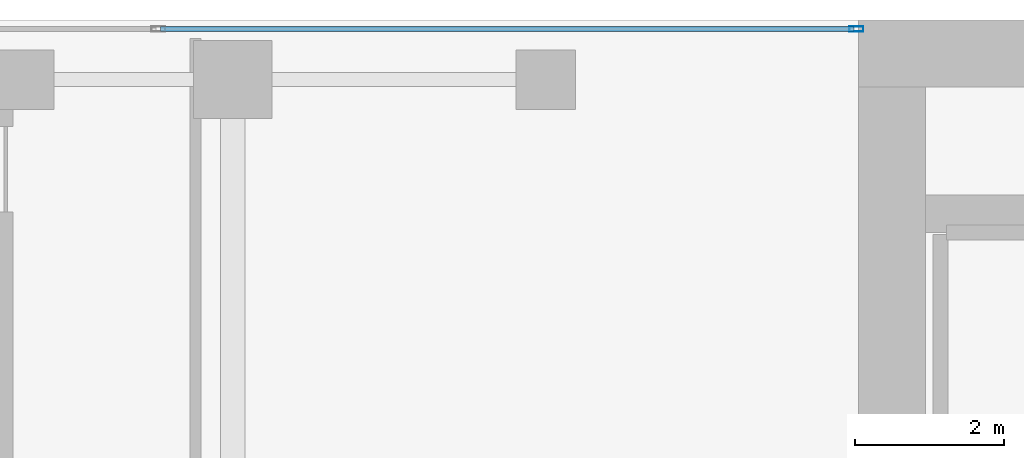
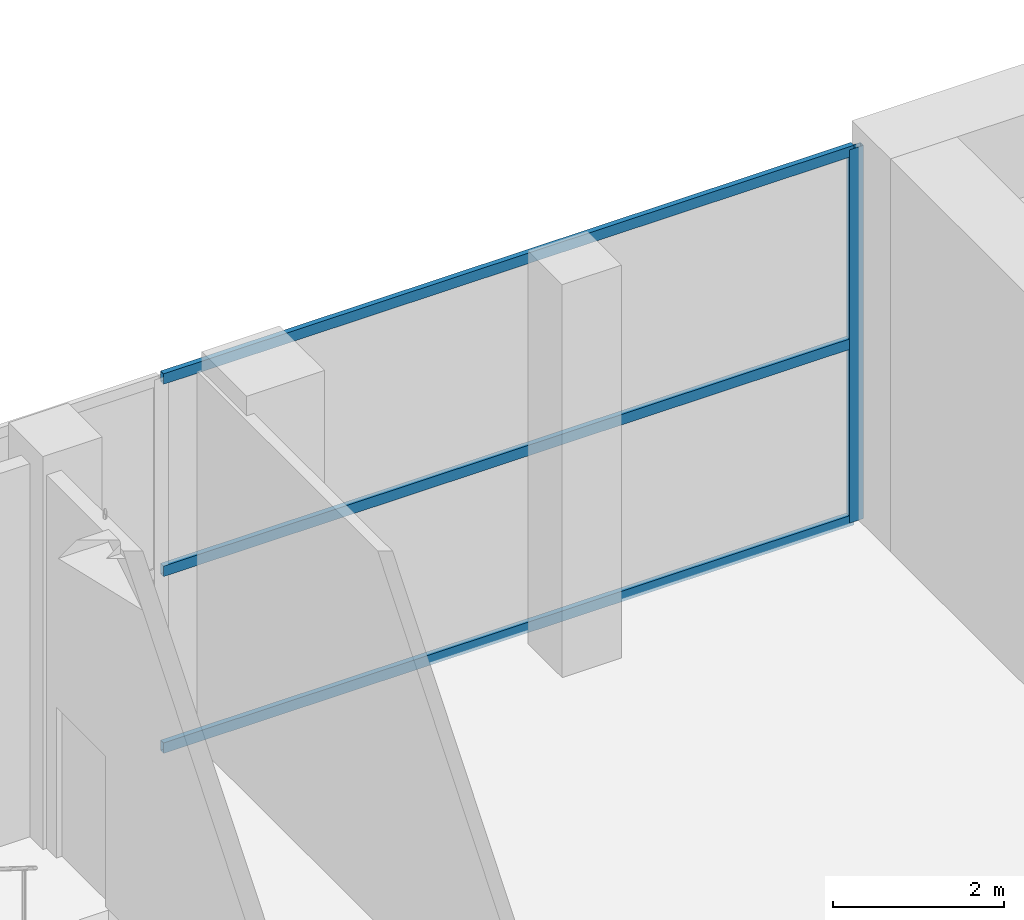
# One storey, part 21 of 40: 4 members, 1 element without a shape of its own.
"""IFC4 building model written with IfcOpenShell, lengths in metres."""

from ifc_helpers import new_model, si_unit, direction, frame, origin, origin_2d, place, context, subcontext, project, spatial, hollow_rectangle, extrude, material, layer, layer_set, material_profile, profile_set, type_object, element, aggregate, save


model = new_model("IFC4")

# Units and contexts
model_context = context("Model", 3, precision=1e-05, world=origin(), true_north=direction((0.0, 1.0)))
body_context = subcontext(model_context, "Body", "Model", "MODEL_VIEW")
ifc_project = project(units=[si_unit("LENGTHUNIT", "METRE"), si_unit("AREAUNIT", "SQUARE_METRE"), si_unit("VOLUMEUNIT", "CUBIC_METRE"), si_unit("PLANEANGLEUNIT", "RADIAN"), si_unit("MASSUNIT", "GRAM", prefix="KILO")], contexts=[model_context])

# Site, building, storey
site_placement = place(None, origin())
site = spatial("IfcSite", under=ifc_project, at=site_placement, CompositionType="ELEMENT")
building_placement = place(site_placement, origin())
building = spatial("IfcBuilding", under=site, at=building_placement, Name="Maruvema Waterfront Hotel and Observation Tower", CompositionType="ELEMENT")
storey_placement = place(building_placement, frame((0.0, 0.0, 10.85009765625)))
storey = spatial("IfcBuildingStorey", under=building, at=storey_placement, Name="L02", CompositionType="ELEMENT", Elevation=10.85009765625)

# Curtain wall, members
ifc_material_1 = material(Name="Anodised bronze aluminium and solar-control low-E IGU", Category="aluminium")
ifc_layer = layer(ifc_material_1, 0.159912109375, Name="Podium Waterfront Storefront Curtain Wall System CW-01")
ifc_layer_set = layer_set([ifc_layer], Name="Anodised bronze aluminium and solar-control low-E IGU")
curtain_wall_type = type_object("IfcCurtainWallType", Name="Podium Waterfront Storefront Curtain Wall System CW-01", PredefinedType="USERDEFINED", material=ifc_layer_set)
curtain_wall_placement = place(storey_placement, origin())
curtain_wall = element("IfcCurtainWall", 1, at=curtain_wall_placement, inside=storey, type_object=curtain_wall_type, Name="L02 Curtain Wall CW-L02-NW", ObjectType="UNITISED CURTAIN WALL", PredefinedType="USERDEFINED")
ifc_material_2 = material(Name="Anodised architectural bronze aluminium", Category="aluminium")
ifc_material_profile_1 = material_profile(ifc_material_2, hollow_rectangle(XDim=0.070068359375, YDim=0.14990234375, WallThickness=0.00390625, at=origin_2d()), Name="ALU-T70x150")
ifc_profile_set_1 = profile_set([ifc_material_profile_1], Name="Anodised architectural bronze aluminium")
member_type_1 = type_object("IfcMemberType", Name="Curtain Wall Horizontal Transom ALU-T70x150", PredefinedType="USERDEFINED", material=ifc_profile_set_1)
member_1_placement = place(storey_placement, frame((25.139892578125, 53.8798828125, 0.02978515625), z_axis=(-1.0, 0.0, 0.0), x_axis=(0.0, -1.0, 0.0)))
member_1 = element("IfcMember", 2, at=member_1_placement, type_object=member_type_1, Name="CW-01 transom 1.1", ObjectType="TRANSOM", PredefinedType="USERDEFINED", context=body_context, shape_type="SweptSolid", body=[
    extrude(hollow_rectangle(XDim=0.070068359375, YDim=0.14990234375, WallThickness=0.00390625, at=origin_2d()), origin(), (0.0, 0.0, 1.0), 9.309814453125),
])
member_2_placement = place(storey_placement, frame((25.139892578125, 53.8798828125, 2.5498046875), z_axis=(-1.0, 0.0, 0.0), x_axis=(0.0, -1.0, 0.0)))
member_2 = element("IfcMember", 3, at=member_2_placement, type_object=member_type_1, Name="CW-01 transom 1.2", ObjectType="TRANSOM", PredefinedType="USERDEFINED", context=body_context, shape_type="SweptSolid", body=[
    extrude(hollow_rectangle(XDim=0.070068359375, YDim=0.14990234375, WallThickness=0.00390625, at=origin_2d()), origin(), (0.0, 0.0, 1.0), 9.309814453125),
])
member_3_placement = place(storey_placement, frame((25.139892578125, 53.8798828125, 5.289794921875), z_axis=(-1.0, 0.0, 0.0), x_axis=(0.0, -1.0, 0.0)))
member_3 = element("IfcMember", 4, at=member_3_placement, type_object=member_type_1, Name="CW-01 transom 1.3", ObjectType="TRANSOM", PredefinedType="USERDEFINED", context=body_context, shape_type="SweptSolid", body=[
    extrude(hollow_rectangle(XDim=0.070068359375, YDim=0.14990234375, WallThickness=0.00390625, at=origin_2d()), origin(), (0.0, 0.0, 1.0), 9.309814453125),
])
ifc_material_3 = material(Name="Anodised architectural bronze aluminium", Category="aluminium")
ifc_material_profile_2 = material_profile(ifc_material_3, hollow_rectangle(XDim=0.070068359375, YDim=0.18994140625, WallThickness=0.00390625, at=origin_2d()), Name="ALU-M70x190")
ifc_profile_set_2 = profile_set([ifc_material_profile_2], Name="Anodised architectural bronze aluminium")
member_type_2 = type_object("IfcMemberType", Name="Podium Storefront Heavy Mullion ALU-M70x190", PredefinedType="MULLION", material=ifc_profile_set_2)
member_4_placement = place(storey_placement, frame((25.169921875, 53.8798828125, 0.0), z_axis=(0.0, 0.0, 1.0), x_axis=(0.0, -1.0, 0.0)))
member_4 = element("IfcMember", 5, at=member_4_placement, type_object=member_type_2, Name="CW-01 mullion 1", PredefinedType="MULLION", context=body_context, shape_type="SweptSolid", body=[
    extrude(hollow_rectangle(XDim=0.070068359375, YDim=0.18994140625, WallThickness=0.00390625, at=origin_2d()), origin(), (0.0, 0.0, 1.0), 5.31982421875),
])
aggregate(curtain_wall, [member_4, member_1, member_2, member_3])

save(model, "model.ifc")
